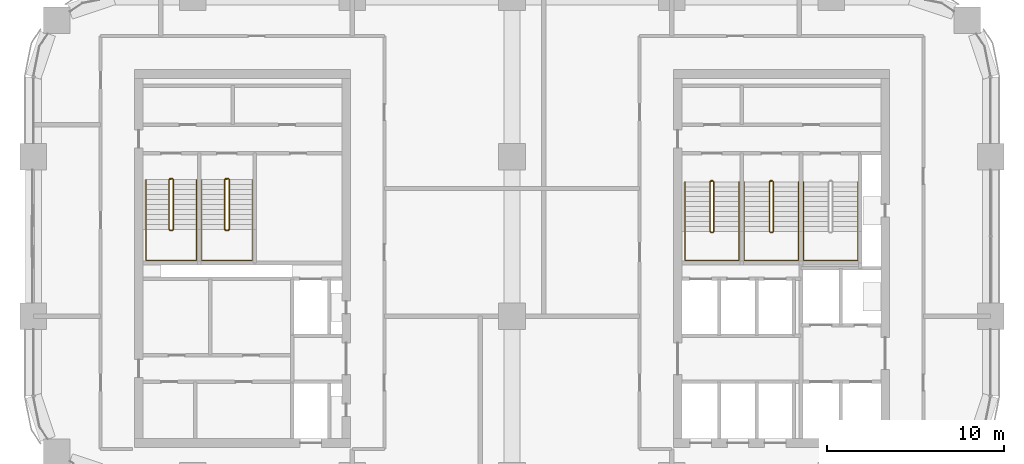
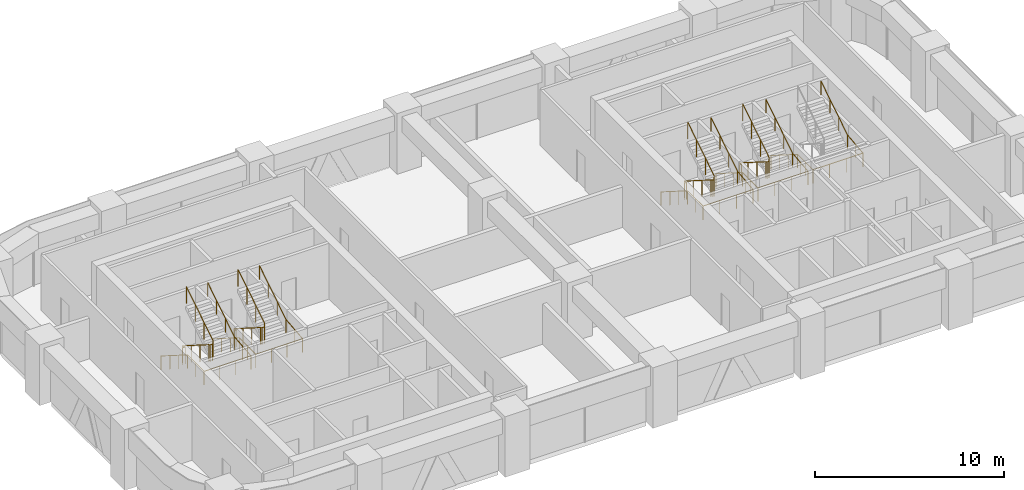
# One storey, part 17 of 18: 9 railings.
"""IFC4 building model written with IfcOpenShell, lengths in metres."""

from ifc_helpers import new_model, si_unit, direction, frame, origin, origin_2d, place, context, subcontext, project, spatial, circle, extrude, material, type_object, element, save


model = new_model("IFC4")

# Units and contexts
model_context = context("Model", 3, precision=1e-05, world=origin(), true_north=direction((0.0, 1.0)))
body_context = subcontext(model_context, "Body", "Model", "MODEL_VIEW")
ifc_project = project(units=[si_unit("LENGTHUNIT", "METRE"), si_unit("AREAUNIT", "SQUARE_METRE"), si_unit("VOLUMEUNIT", "CUBIC_METRE"), si_unit("PLANEANGLEUNIT", "RADIAN"), si_unit("MASSUNIT", "GRAM", prefix="KILO")], contexts=[model_context])

# Site, building, storey
site_placement = place(None, origin())
site = spatial("IfcSite", under=ifc_project, at=site_placement, CompositionType="ELEMENT")
building_placement = place(site_placement, origin())
building = spatial("IfcBuilding", under=site, at=building_placement, Name="Tessera Arch", CompositionType="ELEMENT")
storey_placement = place(building_placement, frame((0.0, 0.0, 185.60009765625)))
storey = spatial("IfcBuildingStorey", under=building, at=storey_placement, Name="L44", CompositionType="ELEMENT", Elevation=185.60009765625)

# Railings
ifc_material_1 = material(Name="Painted steel balustrade", Category="steel")
railing_type_1 = type_object("IfcRailingType", Name="Stair guard 1100", PredefinedType="GUARDRAIL", material=ifc_material_1)
railing_1_placement = place(storey_placement, frame((38.219970703125, 43.6298828125, 0.0)))
element("IfcRailing", 1, at=railing_1_placement, inside=storey, type_object=railing_type_1, Name="L44 S1a stair guard 1", PredefinedType="GUARDRAIL", context=body_context, shape_type="SweptSolid", body=[
    extrude(circle(Radius=0.02392578125, at=origin_2d()), frame((-0.00390625, 0.0, 1.076171875), z_axis=(1.0, 0.0, 0.0), x_axis=(0.0, 1.0, 0.0)), (0.0, 0.0, 1.0), 0.1181640625),
    extrude(circle(Radius=0.02392578125, at=origin_2d()), frame((0.11279296875, 0.000732421875, 1.0732421875), z_axis=(-0.656319048605, -0.204099216335, 0.726353093426), x_axis=(0.296948579431, -0.954893471113, 0.0)), (0.0, 0.0, 1.0), 0.251953125),
    extrude(circle(Radius=0.02392578125, at=origin_2d()), frame((-0.050048828125, -0.04638671875, 1.251220703125), z_axis=(0.0, -0.844908973607, 0.534910110503), x_axis=(1.0, 0.0, 0.0)), (0.0, 0.0, 1.0), 3.322021484375),
    extrude(circle(Radius=0.02392578125, at=origin_2d()), frame((-0.052978515625, -2.846923828125, 3.02587890625), z_axis=(0.707106781187, -0.707106781187, 0.0), x_axis=(0.707106781187, 0.707106781187, 0.0)), (0.0, 0.0, 1.0), 0.078857421875),
    extrude(circle(Radius=0.02392578125, at=origin_2d()), frame((-0.00390625, -2.89990234375, 3.02587890625), z_axis=(1.0, 0.0, 0.0), x_axis=(0.0, 1.0, 0.0)), (0.0, 0.0, 1.0), 0.1181640625),
    extrude(circle(Radius=0.02392578125, at=origin_2d()), frame((0.109130859375, -2.90087890625, 3.022216796875), z_axis=(0.261041864531, 0.262321481514, 0.929001929653), x_axis=(-0.708833529934, 0.705375805398, 0.0)), (0.0, 0.0, 1.0), 0.19873046875),
    extrude(circle(Radius=0.02392578125, at=origin_2d()), frame((0.159912109375, -2.853271484375, 3.201171875), z_axis=(0.0, 0.844908973607, 0.534910110503), x_axis=(-1.0, 0.0, 0.0)), (0.0, 0.0, 1.0), 3.322021484375),
    extrude(circle(Radius=0.02099609375, at=origin_2d()), origin(), (0.0, 0.0, 1.0), 1.06396484375),
    extrude(circle(Radius=0.02099609375, at=origin_2d()), frame((0.110107421875, 0.0, 0.0)), (0.0, 0.0, 1.0), 1.06396484375),
    extrude(circle(Radius=0.02099609375, at=origin_2d()), frame((-0.050048828125, -0.0498046875, 0.17724609375)), (0.0, 0.0, 1.0), 1.06396484375),
    extrude(circle(Radius=0.02099609375, at=origin_2d()), frame((-0.050048828125, -0.983154296875, 0.76806640625)), (0.0, 0.0, 1.0), 1.06396484375),
    extrude(circle(Radius=0.02099609375, at=origin_2d()), frame((-0.050048828125, -1.91650390625, 1.359130859375)), (0.0, 0.0, 1.0), 1.06396484375),
    extrude(circle(Radius=0.02099609375, at=origin_2d()), frame((-0.050048828125, -2.849853515625, 1.949951171875)), (0.0, 0.0, 1.0), 1.06396484375),
    extrude(circle(Radius=0.02099609375, at=origin_2d()), frame((0.0, -2.89990234375, 1.949951171875)), (0.0, 0.0, 1.0), 1.06396484375),
    extrude(circle(Radius=0.02099609375, at=origin_2d()), frame((0.110107421875, -2.89990234375, 1.949951171875)), (0.0, 0.0, 1.0), 1.06396484375),
    extrude(circle(Radius=0.02099609375, at=origin_2d()), frame((0.159912109375, -2.849853515625, 2.127197265625)), (0.0, 0.0, 1.0), 1.06396484375),
    extrude(circle(Radius=0.02099609375, at=origin_2d()), frame((0.159912109375, -1.91650390625, 2.718017578125)), (0.0, 0.0, 1.0), 1.06396484375),
    extrude(circle(Radius=0.02099609375, at=origin_2d()), frame((0.159912109375, -0.983154296875, 3.30908203125)), (0.0, 0.0, 1.0), 1.06396484375),
    extrude(circle(Radius=0.02099609375, at=origin_2d()), frame((0.159912109375, -0.0498046875, 3.89990234375)), (0.0, 0.0, 1.0), 1.06396484375),
])
railing_2_placement = place(storey_placement, frame((41.570068359375, 43.6298828125, 0.0)))
element("IfcRailing", 2, at=railing_2_placement, inside=storey, type_object=railing_type_1, Name="L44 S1b stair guard 1", PredefinedType="GUARDRAIL", context=body_context, shape_type="SweptSolid", body=[
    extrude(circle(Radius=0.02392578125, at=origin_2d()), frame((-0.00390625, 0.0, 1.076171875), z_axis=(1.0, 0.0, 0.0), x_axis=(0.0, 1.0, 0.0)), (0.0, 0.0, 1.0), 0.117919921875),
    extrude(circle(Radius=0.02392578125, at=origin_2d()), frame((0.112548828125, 0.000732421875, 1.0732421875), z_axis=(-0.65574896516, -0.204233265485, 0.726830150696), x_axis=(0.297361876254, -0.954764847777, 0.0)), (0.0, 0.0, 1.0), 0.251953125),
    extrude(circle(Radius=0.02392578125, at=origin_2d()), frame((-0.050048828125, -0.04638671875, 1.251220703125), z_axis=(0.0, -0.844908973607, 0.534910110503), x_axis=(1.0, 0.0, 0.0)), (0.0, 0.0, 1.0), 3.322021484375),
    extrude(circle(Radius=0.02392578125, at=origin_2d()), frame((-0.052978515625, -2.846923828125, 3.02587890625), z_axis=(0.707106781187, -0.707106781187, 0.0), x_axis=(0.707106781187, 0.707106781187, 0.0)), (0.0, 0.0, 1.0), 0.078857421875),
    extrude(circle(Radius=0.02392578125, at=origin_2d()), frame((-0.00390625, -2.89990234375, 3.02587890625), z_axis=(1.0, 0.0, 0.0), x_axis=(0.0, 1.0, 0.0)), (0.0, 0.0, 1.0), 0.117919921875),
    extrude(circle(Radius=0.02392578125, at=origin_2d()), frame((0.10888671875, -2.90087890625, 3.022216796875), z_axis=(0.262233686654, 0.262233686654, 0.928691007369), x_axis=(-0.707106781187, 0.707106781187, 0.0)), (0.0, 0.0, 1.0), 0.198974609375),
    extrude(circle(Radius=0.02392578125, at=origin_2d()), frame((0.159912109375, -2.853271484375, 3.201171875), z_axis=(0.0, 0.844908973607, 0.534910110503), x_axis=(-1.0, 0.0, 0.0)), (0.0, 0.0, 1.0), 3.322021484375),
    extrude(circle(Radius=0.02099609375, at=origin_2d()), origin(), (0.0, 0.0, 1.0), 1.06396484375),
    extrude(circle(Radius=0.02099609375, at=origin_2d()), frame((0.10986328125, 0.0, 0.0)), (0.0, 0.0, 1.0), 1.06396484375),
    extrude(circle(Radius=0.02099609375, at=origin_2d()), frame((-0.050048828125, -0.0498046875, 0.17724609375)), (0.0, 0.0, 1.0), 1.06396484375),
    extrude(circle(Radius=0.02099609375, at=origin_2d()), frame((-0.050048828125, -0.983154296875, 0.76806640625)), (0.0, 0.0, 1.0), 1.06396484375),
    extrude(circle(Radius=0.02099609375, at=origin_2d()), frame((-0.050048828125, -1.91650390625, 1.359130859375)), (0.0, 0.0, 1.0), 1.06396484375),
    extrude(circle(Radius=0.02099609375, at=origin_2d()), frame((-0.050048828125, -2.849853515625, 1.949951171875)), (0.0, 0.0, 1.0), 1.06396484375),
    extrude(circle(Radius=0.02099609375, at=origin_2d()), frame((0.0, -2.89990234375, 1.949951171875)), (0.0, 0.0, 1.0), 1.06396484375),
    extrude(circle(Radius=0.02099609375, at=origin_2d()), frame((0.10986328125, -2.89990234375, 1.949951171875)), (0.0, 0.0, 1.0), 1.06396484375),
    extrude(circle(Radius=0.02099609375, at=origin_2d()), frame((0.159912109375, -2.849853515625, 2.127197265625)), (0.0, 0.0, 1.0), 1.06396484375),
    extrude(circle(Radius=0.02099609375, at=origin_2d()), frame((0.159912109375, -1.91650390625, 2.718017578125)), (0.0, 0.0, 1.0), 1.06396484375),
    extrude(circle(Radius=0.02099609375, at=origin_2d()), frame((0.159912109375, -0.983154296875, 3.30908203125)), (0.0, 0.0, 1.0), 1.06396484375),
    extrude(circle(Radius=0.02099609375, at=origin_2d()), frame((0.159912109375, -0.0498046875, 3.89990234375)), (0.0, 0.0, 1.0), 1.06396484375),
])
railing_3_placement = place(storey_placement, frame((7.699951171875, 43.75, 0.0)))
element("IfcRailing", 3, at=railing_3_placement, inside=storey, type_object=railing_type_1, Name="L44 S2a stair guard 1", PredefinedType="GUARDRAIL", context=body_context, shape_type="SweptSolid", body=[
    extrude(circle(Radius=0.02392578125, at=origin_2d()), frame((-0.00390625, 0.0, 1.076171875), z_axis=(1.0, 0.0, 0.0), x_axis=(0.0, 1.0, 0.0)), (0.0, 0.0, 1.0), 0.158203125),
    extrude(circle(Radius=0.02392578125, at=origin_2d()), frame((0.153076171875, 0.000732421875, 1.073486328125), z_axis=(-0.735936453418, -0.183984113355, 0.651573006319), x_axis=(0.242535625036, -0.970142500145, 0.0)), (0.0, 0.0, 1.0), 0.280029296875),
    extrude(circle(Radius=0.02392578125, at=origin_2d()), frame((-0.050048828125, -0.046630859375, 1.251220703125), z_axis=(0.0, -0.844908973607, 0.534910110503), x_axis=(1.0, 0.0, 0.0)), (0.0, 0.0, 1.0), 3.322021484375),
    extrude(circle(Radius=0.02392578125, at=origin_2d()), frame((-0.052978515625, -2.84716796875, 3.02587890625), z_axis=(0.708833529934, -0.705375805398, 0.0), x_axis=(0.705375805398, 0.708833529934, 0.0)), (0.0, 0.0, 1.0), 0.07861328125),
    extrude(circle(Radius=0.02392578125, at=origin_2d()), frame((-0.00390625, -2.89990234375, 3.02587890625), z_axis=(1.0, 0.0, 0.0), x_axis=(0.0, 1.0, 0.0)), (0.0, 0.0, 1.0), 0.158203125),
    extrude(circle(Radius=0.02392578125, at=origin_2d()), frame((0.149169921875, -2.90087890625, 3.022216796875), z_axis=(0.261129318932, 0.261129318932, 0.929313164433), x_axis=(-0.707106781187, 0.707106781187, 0.0)), (0.0, 0.0, 1.0), 0.19873046875),
    extrude(circle(Radius=0.02392578125, at=origin_2d()), frame((0.199951171875, -2.853515625, 3.201171875), z_axis=(0.0, 0.844908973607, 0.534910110503), x_axis=(-1.0, 0.0, 0.0)), (0.0, 0.0, 1.0), 3.322021484375),
    extrude(circle(Radius=0.02099609375, at=origin_2d()), origin(), (0.0, 0.0, 1.0), 1.06396484375),
    extrude(circle(Radius=0.02099609375, at=origin_2d()), frame((0.150146484375, 0.0, 0.0)), (0.0, 0.0, 1.0), 1.06396484375),
    extrude(circle(Radius=0.02099609375, at=origin_2d()), frame((-0.050048828125, -0.050048828125, 0.17724609375)), (0.0, 0.0, 1.0), 1.06396484375),
    extrude(circle(Radius=0.02099609375, at=origin_2d()), frame((-0.050048828125, -0.9833984375, 0.76806640625)), (0.0, 0.0, 1.0), 1.06396484375),
    extrude(circle(Radius=0.02099609375, at=origin_2d()), frame((-0.050048828125, -1.916748046875, 1.359130859375)), (0.0, 0.0, 1.0), 1.06396484375),
    extrude(circle(Radius=0.02099609375, at=origin_2d()), frame((-0.050048828125, -2.85009765625, 1.949951171875)), (0.0, 0.0, 1.0), 1.06396484375),
    extrude(circle(Radius=0.02099609375, at=origin_2d()), frame((0.0, -2.89990234375, 1.949951171875)), (0.0, 0.0, 1.0), 1.06396484375),
    extrude(circle(Radius=0.02099609375, at=origin_2d()), frame((0.150146484375, -2.89990234375, 1.949951171875)), (0.0, 0.0, 1.0), 1.06396484375),
    extrude(circle(Radius=0.02099609375, at=origin_2d()), frame((0.199951171875, -2.85009765625, 2.127197265625)), (0.0, 0.0, 1.0), 1.06396484375),
    extrude(circle(Radius=0.02099609375, at=origin_2d()), frame((0.199951171875, -1.916748046875, 2.718017578125)), (0.0, 0.0, 1.0), 1.06396484375),
    extrude(circle(Radius=0.02099609375, at=origin_2d()), frame((0.199951171875, -0.9833984375, 3.30908203125)), (0.0, 0.0, 1.0), 1.06396484375),
    extrude(circle(Radius=0.02099609375, at=origin_2d()), frame((0.199951171875, -0.050048828125, 3.89990234375)), (0.0, 0.0, 1.0), 1.06396484375),
])
railing_4_placement = place(storey_placement, frame((10.85009765625, 43.75, 0.0)))
element("IfcRailing", 4, at=railing_4_placement, inside=storey, type_object=railing_type_1, Name="L44 S2b stair guard 1", PredefinedType="GUARDRAIL", context=body_context, shape_type="SweptSolid", body=[
    extrude(circle(Radius=0.02392578125, at=origin_2d()), frame((-0.00390625, 0.0, 1.076171875), z_axis=(1.0, 0.0, 0.0), x_axis=(0.0, 1.0, 0.0)), (0.0, 0.0, 1.0), 0.157958984375),
    extrude(circle(Radius=0.02392578125, at=origin_2d()), frame((0.15283203125, 0.000732421875, 1.073486328125), z_axis=(-0.735524641326, -0.184105679453, 0.652003528208), x_axis=(0.242814311512, -0.970072785993, 0.0)), (0.0, 0.0, 1.0), 0.27978515625),
    extrude(circle(Radius=0.02392578125, at=origin_2d()), frame((-0.050048828125, -0.046630859375, 1.251220703125), z_axis=(0.0, -0.844908973607, 0.534910110503), x_axis=(1.0, 0.0, 0.0)), (0.0, 0.0, 1.0), 3.322021484375),
    extrude(circle(Radius=0.02392578125, at=origin_2d()), frame((-0.052978515625, -2.84716796875, 3.02587890625), z_axis=(0.708833529934, -0.705375805398, 0.0), x_axis=(0.705375805398, 0.708833529934, 0.0)), (0.0, 0.0, 1.0), 0.07861328125),
    extrude(circle(Radius=0.02392578125, at=origin_2d()), frame((-0.00390625, -2.89990234375, 3.02587890625), z_axis=(1.0, 0.0, 0.0), x_axis=(0.0, 1.0, 0.0)), (0.0, 0.0, 1.0), 0.157958984375),
    extrude(circle(Radius=0.02392578125, at=origin_2d()), frame((0.14892578125, -2.90087890625, 3.022216796875), z_axis=(0.262321481514, 0.261041864531, 0.929001929653), x_axis=(-0.705375805398, 0.708833529934, 0.0)), (0.0, 0.0, 1.0), 0.19873046875),
    extrude(circle(Radius=0.02392578125, at=origin_2d()), frame((0.199951171875, -2.853515625, 3.201171875), z_axis=(0.0, 0.844908973607, 0.534910110503), x_axis=(-1.0, 0.0, 0.0)), (0.0, 0.0, 1.0), 3.322021484375),
    extrude(circle(Radius=0.02099609375, at=origin_2d()), origin(), (0.0, 0.0, 1.0), 1.06396484375),
    extrude(circle(Radius=0.02099609375, at=origin_2d()), frame((0.14990234375, 0.0, 0.0)), (0.0, 0.0, 1.0), 1.06396484375),
    extrude(circle(Radius=0.02099609375, at=origin_2d()), frame((-0.050048828125, -0.050048828125, 0.17724609375)), (0.0, 0.0, 1.0), 1.06396484375),
    extrude(circle(Radius=0.02099609375, at=origin_2d()), frame((-0.050048828125, -0.9833984375, 0.76806640625)), (0.0, 0.0, 1.0), 1.06396484375),
    extrude(circle(Radius=0.02099609375, at=origin_2d()), frame((-0.050048828125, -1.916748046875, 1.359130859375)), (0.0, 0.0, 1.0), 1.06396484375),
    extrude(circle(Radius=0.02099609375, at=origin_2d()), frame((-0.050048828125, -2.85009765625, 1.949951171875)), (0.0, 0.0, 1.0), 1.06396484375),
    extrude(circle(Radius=0.02099609375, at=origin_2d()), frame((0.0, -2.89990234375, 1.949951171875)), (0.0, 0.0, 1.0), 1.06396484375),
    extrude(circle(Radius=0.02099609375, at=origin_2d()), frame((0.14990234375, -2.89990234375, 1.949951171875)), (0.0, 0.0, 1.0), 1.06396484375),
    extrude(circle(Radius=0.02099609375, at=origin_2d()), frame((0.199951171875, -2.85009765625, 2.127197265625)), (0.0, 0.0, 1.0), 1.06396484375),
    extrude(circle(Radius=0.02099609375, at=origin_2d()), frame((0.199951171875, -1.916748046875, 2.718017578125)), (0.0, 0.0, 1.0), 1.06396484375),
    extrude(circle(Radius=0.02099609375, at=origin_2d()), frame((0.199951171875, -0.9833984375, 3.30908203125)), (0.0, 0.0, 1.0), 1.06396484375),
    extrude(circle(Radius=0.02099609375, at=origin_2d()), frame((0.199951171875, -0.050048828125, 3.89990234375)), (0.0, 0.0, 1.0), 1.06396484375),
])
ifc_material_2 = material(Name="Painted steel handrail", Category="steel")
railing_type_2 = type_object("IfcRailingType", Name="Stair handrail 900", PredefinedType="HANDRAIL", material=ifc_material_2)
railing_5_placement = place(storey_placement, frame((36.75, 43.580078125, 0.17724609375)))
element("IfcRailing", 5, at=railing_5_placement, inside=storey, type_object=railing_type_2, Name="L44 S1a stair handrail", PredefinedType="HANDRAIL", context=body_context, shape_type="SweptSolid", body=[
    extrude(circle(Radius=0.02392578125, at=origin_2d()), frame((0.0, 0.00341796875, 0.873779296875), z_axis=(0.0, -0.844908973607, 0.534910110503), x_axis=(1.0, 0.0, 0.0)), (0.0, 0.0, 1.0), 3.322021484375),
    extrude(circle(Radius=0.02392578125, at=origin_2d()), frame((0.0, -2.796142578125, 2.6484375), z_axis=(0.0, -1.0, 0.0), x_axis=(1.0, 0.0, 0.0)), (0.0, 0.0, 1.0), 1.63818359375),
    extrude(circle(Radius=0.02392578125, at=origin_2d()), frame((-0.00390625, -4.43017578125, 2.6484375), z_axis=(1.0, 0.0, 0.0), x_axis=(0.0, 1.0, 0.0)), (0.0, 0.0, 1.0), 3.05810546875),
    extrude(circle(Radius=0.02392578125, at=origin_2d()), frame((3.050048828125, -4.43408203125, 2.648193359375), z_axis=(0.0, 0.994140637614, 0.108094369164), x_axis=(-1.0, 0.0, 0.0)), (0.0, 0.0, 1.0), 1.647705078125),
    extrude(circle(Radius=0.02392578125, at=origin_2d()), frame((3.050048828125, -2.803466796875, 2.82373046875), z_axis=(0.0, 0.844908973607, 0.534910110503), x_axis=(-1.0, 0.0, 0.0)), (0.0, 0.0, 1.0), 3.322021484375),
    extrude(circle(Radius=0.02099609375, at=origin_2d()), origin(), (0.0, 0.0, 1.0), 0.86376953125),
    extrude(circle(Radius=0.02099609375, at=origin_2d()), frame((0.0, -0.933349609375, 0.5908203125)), (0.0, 0.0, 1.0), 0.86376953125),
    extrude(circle(Radius=0.02099609375, at=origin_2d()), frame((0.0, -1.86669921875, 1.181884765625)), (0.0, 0.0, 1.0), 0.86376953125),
    extrude(circle(Radius=0.02099609375, at=origin_2d()), frame((0.0, -2.800048828125, 1.772705078125)), (0.0, 0.0, 1.0), 0.86376953125),
    extrude(circle(Radius=0.02099609375, at=origin_2d()), frame((0.0, -3.615234375, 1.772705078125)), (0.0, 0.0, 1.0), 0.86376953125),
    extrude(circle(Radius=0.02099609375, at=origin_2d()), frame((0.0, -4.43017578125, 1.772705078125)), (0.0, 0.0, 1.0), 0.86376953125),
    extrude(circle(Radius=0.02099609375, at=origin_2d()), frame((1.0166015625, -4.43017578125, 1.772705078125)), (0.0, 0.0, 1.0), 0.86376953125),
    extrude(circle(Radius=0.02099609375, at=origin_2d()), frame((2.033447265625, -4.43017578125, 1.772705078125)), (0.0, 0.0, 1.0), 0.86376953125),
    extrude(circle(Radius=0.02099609375, at=origin_2d()), frame((3.050048828125, -4.43017578125, 1.772705078125)), (0.0, 0.0, 1.0), 0.86376953125),
    extrude(circle(Radius=0.02099609375, at=origin_2d()), frame((3.050048828125, -3.615234375, 1.861328125)), (0.0, 0.0, 1.0), 0.86376953125),
    extrude(circle(Radius=0.02099609375, at=origin_2d()), frame((3.050048828125, -2.800048828125, 1.949951171875)), (0.0, 0.0, 1.0), 0.86376953125),
    extrude(circle(Radius=0.02099609375, at=origin_2d()), frame((3.050048828125, -1.86669921875, 2.540771484375)), (0.0, 0.0, 1.0), 0.86376953125),
    extrude(circle(Radius=0.02099609375, at=origin_2d()), frame((3.050048828125, -0.933349609375, 3.1318359375)), (0.0, 0.0, 1.0), 0.86376953125),
    extrude(circle(Radius=0.02099609375, at=origin_2d()), frame((3.050048828125, 0.0, 3.72265625)), (0.0, 0.0, 1.0), 0.86376953125),
])
railing_6_placement = place(storey_placement, frame((40.10009765625, 43.580078125, 0.17724609375)))
element("IfcRailing", 6, at=railing_6_placement, inside=storey, type_object=railing_type_2, Name="L44 S1b stair handrail", PredefinedType="HANDRAIL", context=body_context, shape_type="SweptSolid", body=[
    extrude(circle(Radius=0.02392578125, at=origin_2d()), frame((0.0, 0.00341796875, 0.873779296875), z_axis=(0.0, -0.844908973607, 0.534910110503), x_axis=(1.0, 0.0, 0.0)), (0.0, 0.0, 1.0), 3.322021484375),
    extrude(circle(Radius=0.02392578125, at=origin_2d()), frame((0.0, -2.796142578125, 2.6484375), z_axis=(0.0, -1.0, 0.0), x_axis=(1.0, 0.0, 0.0)), (0.0, 0.0, 1.0), 1.63818359375),
    extrude(circle(Radius=0.02392578125, at=origin_2d()), frame((-0.00390625, -4.43017578125, 2.6484375), z_axis=(1.0, 0.0, 0.0), x_axis=(0.0, 1.0, 0.0)), (0.0, 0.0, 1.0), 3.057861328125),
    extrude(circle(Radius=0.02392578125, at=origin_2d()), frame((3.0498046875, -4.43408203125, 2.648193359375), z_axis=(0.0, 0.994140637614, 0.108094369164), x_axis=(-1.0, 0.0, 0.0)), (0.0, 0.0, 1.0), 1.647705078125),
    extrude(circle(Radius=0.02392578125, at=origin_2d()), frame((3.0498046875, -2.803466796875, 2.82373046875), z_axis=(0.0, 0.844908973607, 0.534910110503), x_axis=(-1.0, 0.0, 0.0)), (0.0, 0.0, 1.0), 3.322021484375),
    extrude(circle(Radius=0.02099609375, at=origin_2d()), origin(), (0.0, 0.0, 1.0), 0.86376953125),
    extrude(circle(Radius=0.02099609375, at=origin_2d()), frame((0.0, -0.933349609375, 0.5908203125)), (0.0, 0.0, 1.0), 0.86376953125),
    extrude(circle(Radius=0.02099609375, at=origin_2d()), frame((0.0, -1.86669921875, 1.181884765625)), (0.0, 0.0, 1.0), 0.86376953125),
    extrude(circle(Radius=0.02099609375, at=origin_2d()), frame((0.0, -2.800048828125, 1.772705078125)), (0.0, 0.0, 1.0), 0.86376953125),
    extrude(circle(Radius=0.02099609375, at=origin_2d()), frame((0.0, -3.615234375, 1.772705078125)), (0.0, 0.0, 1.0), 0.86376953125),
    extrude(circle(Radius=0.02099609375, at=origin_2d()), frame((0.0, -4.43017578125, 1.772705078125)), (0.0, 0.0, 1.0), 0.86376953125),
    extrude(circle(Radius=0.02099609375, at=origin_2d()), frame((1.0166015625, -4.43017578125, 1.772705078125)), (0.0, 0.0, 1.0), 0.86376953125),
    extrude(circle(Radius=0.02099609375, at=origin_2d()), frame((2.033203125, -4.43017578125, 1.772705078125)), (0.0, 0.0, 1.0), 0.86376953125),
    extrude(circle(Radius=0.02099609375, at=origin_2d()), frame((3.0498046875, -4.43017578125, 1.772705078125)), (0.0, 0.0, 1.0), 0.86376953125),
    extrude(circle(Radius=0.02099609375, at=origin_2d()), frame((3.0498046875, -3.615234375, 1.861328125)), (0.0, 0.0, 1.0), 0.86376953125),
    extrude(circle(Radius=0.02099609375, at=origin_2d()), frame((3.0498046875, -2.800048828125, 1.949951171875)), (0.0, 0.0, 1.0), 0.86376953125),
    extrude(circle(Radius=0.02099609375, at=origin_2d()), frame((3.0498046875, -1.86669921875, 2.540771484375)), (0.0, 0.0, 1.0), 0.86376953125),
    extrude(circle(Radius=0.02099609375, at=origin_2d()), frame((3.0498046875, -0.933349609375, 3.1318359375)), (0.0, 0.0, 1.0), 0.86376953125),
    extrude(circle(Radius=0.02099609375, at=origin_2d()), frame((3.0498046875, 0.0, 3.72265625)), (0.0, 0.0, 1.0), 0.86376953125),
])
railing_7_placement = place(storey_placement, frame((43.449951171875, 43.580078125, 0.17724609375)))
element("IfcRailing", 7, at=railing_7_placement, inside=storey, type_object=railing_type_2, Name="L44 S1c stair handrail", PredefinedType="HANDRAIL", context=body_context, shape_type="SweptSolid", body=[
    extrude(circle(Radius=0.02392578125, at=origin_2d()), frame((0.0, 0.00341796875, 0.873779296875), z_axis=(0.0, -0.844908973607, 0.534910110503), x_axis=(1.0, 0.0, 0.0)), (0.0, 0.0, 1.0), 3.322021484375),
    extrude(circle(Radius=0.02392578125, at=origin_2d()), frame((0.0, -2.796142578125, 2.6484375), z_axis=(0.0, -1.0, 0.0), x_axis=(1.0, 0.0, 0.0)), (0.0, 0.0, 1.0), 1.63818359375),
    extrude(circle(Radius=0.02392578125, at=origin_2d()), frame((-0.00390625, -4.43017578125, 2.6484375), z_axis=(1.0, 0.0, 0.0), x_axis=(0.0, 1.0, 0.0)), (0.0, 0.0, 1.0), 3.05810546875),
    extrude(circle(Radius=0.02392578125, at=origin_2d()), frame((3.050048828125, -4.43408203125, 2.648193359375), z_axis=(0.0, 0.994140637614, 0.108094369164), x_axis=(-1.0, 0.0, 0.0)), (0.0, 0.0, 1.0), 1.647705078125),
    extrude(circle(Radius=0.02392578125, at=origin_2d()), frame((3.050048828125, -2.803466796875, 2.82373046875), z_axis=(0.0, 0.844908973607, 0.534910110503), x_axis=(-1.0, 0.0, 0.0)), (0.0, 0.0, 1.0), 3.322021484375),
    extrude(circle(Radius=0.02099609375, at=origin_2d()), origin(), (0.0, 0.0, 1.0), 0.86376953125),
    extrude(circle(Radius=0.02099609375, at=origin_2d()), frame((0.0, -0.933349609375, 0.5908203125)), (0.0, 0.0, 1.0), 0.86376953125),
    extrude(circle(Radius=0.02099609375, at=origin_2d()), frame((0.0, -1.86669921875, 1.181884765625)), (0.0, 0.0, 1.0), 0.86376953125),
    extrude(circle(Radius=0.02099609375, at=origin_2d()), frame((0.0, -2.800048828125, 1.772705078125)), (0.0, 0.0, 1.0), 0.86376953125),
    extrude(circle(Radius=0.02099609375, at=origin_2d()), frame((0.0, -3.615234375, 1.772705078125)), (0.0, 0.0, 1.0), 0.86376953125),
    extrude(circle(Radius=0.02099609375, at=origin_2d()), frame((0.0, -4.43017578125, 1.772705078125)), (0.0, 0.0, 1.0), 0.86376953125),
    extrude(circle(Radius=0.02099609375, at=origin_2d()), frame((1.0166015625, -4.43017578125, 1.772705078125)), (0.0, 0.0, 1.0), 0.86376953125),
    extrude(circle(Radius=0.02099609375, at=origin_2d()), frame((2.033447265625, -4.43017578125, 1.772705078125)), (0.0, 0.0, 1.0), 0.86376953125),
    extrude(circle(Radius=0.02099609375, at=origin_2d()), frame((3.050048828125, -4.43017578125, 1.772705078125)), (0.0, 0.0, 1.0), 0.86376953125),
    extrude(circle(Radius=0.02099609375, at=origin_2d()), frame((3.050048828125, -3.615234375, 1.861328125)), (0.0, 0.0, 1.0), 0.86376953125),
    extrude(circle(Radius=0.02099609375, at=origin_2d()), frame((3.050048828125, -2.800048828125, 1.949951171875)), (0.0, 0.0, 1.0), 0.86376953125),
    extrude(circle(Radius=0.02099609375, at=origin_2d()), frame((3.050048828125, -1.86669921875, 2.540771484375)), (0.0, 0.0, 1.0), 0.86376953125),
    extrude(circle(Radius=0.02099609375, at=origin_2d()), frame((3.050048828125, -0.933349609375, 3.1318359375)), (0.0, 0.0, 1.0), 0.86376953125),
    extrude(circle(Radius=0.02099609375, at=origin_2d()), frame((3.050048828125, 0.0, 3.72265625)), (0.0, 0.0, 1.0), 0.86376953125),
])
railing_8_placement = place(storey_placement, frame((6.35009765625, 43.699951171875, 0.17724609375)))
element("IfcRailing", 8, at=railing_8_placement, inside=storey, type_object=railing_type_2, Name="L44 S2a stair handrail", PredefinedType="HANDRAIL", context=body_context, shape_type="SweptSolid", body=[
    extrude(circle(Radius=0.02392578125, at=origin_2d()), frame((0.0, 0.00341796875, 0.873779296875), z_axis=(0.0, -0.844908973607, 0.534910110503), x_axis=(1.0, 0.0, 0.0)), (0.0, 0.0, 1.0), 3.322021484375),
    extrude(circle(Radius=0.02392578125, at=origin_2d()), frame((0.0, -2.796142578125, 2.6484375), z_axis=(0.0, -1.0, 0.0), x_axis=(1.0, 0.0, 0.0)), (0.0, 0.0, 1.0), 1.758056640625),
    extrude(circle(Radius=0.02392578125, at=origin_2d()), frame((-0.00390625, -4.550048828125, 2.6484375), z_axis=(1.0, 0.0, 0.0), x_axis=(0.0, 1.0, 0.0)), (0.0, 0.0, 1.0), 2.85791015625),
    extrude(circle(Radius=0.02392578125, at=origin_2d()), frame((2.849853515625, -4.553955078125, 2.648193359375), z_axis=(0.0, 0.994909956378, 0.100767944801), x_axis=(-1.0, 0.0, 0.0)), (0.0, 0.0, 1.0), 1.766845703125),
    extrude(circle(Radius=0.02392578125, at=origin_2d()), frame((2.849853515625, -2.803466796875, 2.82373046875), z_axis=(0.0, 0.844908973607, 0.534910110503), x_axis=(-1.0, 0.0, 0.0)), (0.0, 0.0, 1.0), 3.322021484375),
    extrude(circle(Radius=0.02099609375, at=origin_2d()), origin(), (0.0, 0.0, 1.0), 0.86376953125),
    extrude(circle(Radius=0.02099609375, at=origin_2d()), frame((0.0, -0.933349609375, 0.5908203125)), (0.0, 0.0, 1.0), 0.86376953125),
    extrude(circle(Radius=0.02099609375, at=origin_2d()), frame((0.0, -1.86669921875, 1.181884765625)), (0.0, 0.0, 1.0), 0.86376953125),
    extrude(circle(Radius=0.02099609375, at=origin_2d()), frame((0.0, -2.800048828125, 1.772705078125)), (0.0, 0.0, 1.0), 0.86376953125),
    extrude(circle(Radius=0.02099609375, at=origin_2d()), frame((0.0, -3.675048828125, 1.772705078125)), (0.0, 0.0, 1.0), 0.86376953125),
    extrude(circle(Radius=0.02099609375, at=origin_2d()), frame((0.0, -4.550048828125, 1.772705078125)), (0.0, 0.0, 1.0), 0.86376953125),
    extrude(circle(Radius=0.02099609375, at=origin_2d()), frame((0.949951171875, -4.550048828125, 1.772705078125)), (0.0, 0.0, 1.0), 0.86376953125),
    extrude(circle(Radius=0.02099609375, at=origin_2d()), frame((1.89990234375, -4.550048828125, 1.772705078125)), (0.0, 0.0, 1.0), 0.86376953125),
    extrude(circle(Radius=0.02099609375, at=origin_2d()), frame((2.849853515625, -4.550048828125, 1.772705078125)), (0.0, 0.0, 1.0), 0.86376953125),
    extrude(circle(Radius=0.02099609375, at=origin_2d()), frame((2.849853515625, -3.675048828125, 1.861328125)), (0.0, 0.0, 1.0), 0.86376953125),
    extrude(circle(Radius=0.02099609375, at=origin_2d()), frame((2.849853515625, -2.800048828125, 1.949951171875)), (0.0, 0.0, 1.0), 0.86376953125),
    extrude(circle(Radius=0.02099609375, at=origin_2d()), frame((2.849853515625, -1.86669921875, 2.540771484375)), (0.0, 0.0, 1.0), 0.86376953125),
    extrude(circle(Radius=0.02099609375, at=origin_2d()), frame((2.849853515625, -0.933349609375, 3.1318359375)), (0.0, 0.0, 1.0), 0.86376953125),
    extrude(circle(Radius=0.02099609375, at=origin_2d()), frame((2.849853515625, 0.0, 3.72265625)), (0.0, 0.0, 1.0), 0.86376953125),
])
railing_9_placement = place(storey_placement, frame((9.5, 43.699951171875, 0.17724609375)))
element("IfcRailing", 9, at=railing_9_placement, inside=storey, type_object=railing_type_2, Name="L44 S2b stair handrail", PredefinedType="HANDRAIL", context=body_context, shape_type="SweptSolid", body=[
    extrude(circle(Radius=0.02392578125, at=origin_2d()), frame((0.0, 0.00341796875, 0.873779296875), z_axis=(0.0, -0.844908973607, 0.534910110503), x_axis=(1.0, 0.0, 0.0)), (0.0, 0.0, 1.0), 3.322021484375),
    extrude(circle(Radius=0.02392578125, at=origin_2d()), frame((0.0, -2.796142578125, 2.6484375), z_axis=(0.0, -1.0, 0.0), x_axis=(1.0, 0.0, 0.0)), (0.0, 0.0, 1.0), 1.758056640625),
    extrude(circle(Radius=0.02392578125, at=origin_2d()), frame((-0.00390625, -4.550048828125, 2.6484375), z_axis=(1.0, 0.0, 0.0), x_axis=(0.0, 1.0, 0.0)), (0.0, 0.0, 1.0), 2.858154296875),
    extrude(circle(Radius=0.02392578125, at=origin_2d()), frame((2.85009765625, -4.553955078125, 2.648193359375), z_axis=(0.0, 0.994909956378, 0.100767944801), x_axis=(-1.0, 0.0, 0.0)), (0.0, 0.0, 1.0), 1.766845703125),
    extrude(circle(Radius=0.02392578125, at=origin_2d()), frame((2.85009765625, -2.803466796875, 2.82373046875), z_axis=(0.0, 0.844908973607, 0.534910110503), x_axis=(-1.0, 0.0, 0.0)), (0.0, 0.0, 1.0), 3.322021484375),
    extrude(circle(Radius=0.02099609375, at=origin_2d()), origin(), (0.0, 0.0, 1.0), 0.86376953125),
    extrude(circle(Radius=0.02099609375, at=origin_2d()), frame((0.0, -0.933349609375, 0.5908203125)), (0.0, 0.0, 1.0), 0.86376953125),
    extrude(circle(Radius=0.02099609375, at=origin_2d()), frame((0.0, -1.86669921875, 1.181884765625)), (0.0, 0.0, 1.0), 0.86376953125),
    extrude(circle(Radius=0.02099609375, at=origin_2d()), frame((0.0, -2.800048828125, 1.772705078125)), (0.0, 0.0, 1.0), 0.86376953125),
    extrude(circle(Radius=0.02099609375, at=origin_2d()), frame((0.0, -3.675048828125, 1.772705078125)), (0.0, 0.0, 1.0), 0.86376953125),
    extrude(circle(Radius=0.02099609375, at=origin_2d()), frame((0.0, -4.550048828125, 1.772705078125)), (0.0, 0.0, 1.0), 0.86376953125),
    extrude(circle(Radius=0.02099609375, at=origin_2d()), frame((0.949951171875, -4.550048828125, 1.772705078125)), (0.0, 0.0, 1.0), 0.86376953125),
    extrude(circle(Radius=0.02099609375, at=origin_2d()), frame((1.900146484375, -4.550048828125, 1.772705078125)), (0.0, 0.0, 1.0), 0.86376953125),
    extrude(circle(Radius=0.02099609375, at=origin_2d()), frame((2.85009765625, -4.550048828125, 1.772705078125)), (0.0, 0.0, 1.0), 0.86376953125),
    extrude(circle(Radius=0.02099609375, at=origin_2d()), frame((2.85009765625, -3.675048828125, 1.861328125)), (0.0, 0.0, 1.0), 0.86376953125),
    extrude(circle(Radius=0.02099609375, at=origin_2d()), frame((2.85009765625, -2.800048828125, 1.949951171875)), (0.0, 0.0, 1.0), 0.86376953125),
    extrude(circle(Radius=0.02099609375, at=origin_2d()), frame((2.85009765625, -1.86669921875, 2.540771484375)), (0.0, 0.0, 1.0), 0.86376953125),
    extrude(circle(Radius=0.02099609375, at=origin_2d()), frame((2.85009765625, -0.933349609375, 3.1318359375)), (0.0, 0.0, 1.0), 0.86376953125),
    extrude(circle(Radius=0.02099609375, at=origin_2d()), frame((2.85009765625, 0.0, 3.72265625)), (0.0, 0.0, 1.0), 0.86376953125),
])

save(model, "model.ifc")
